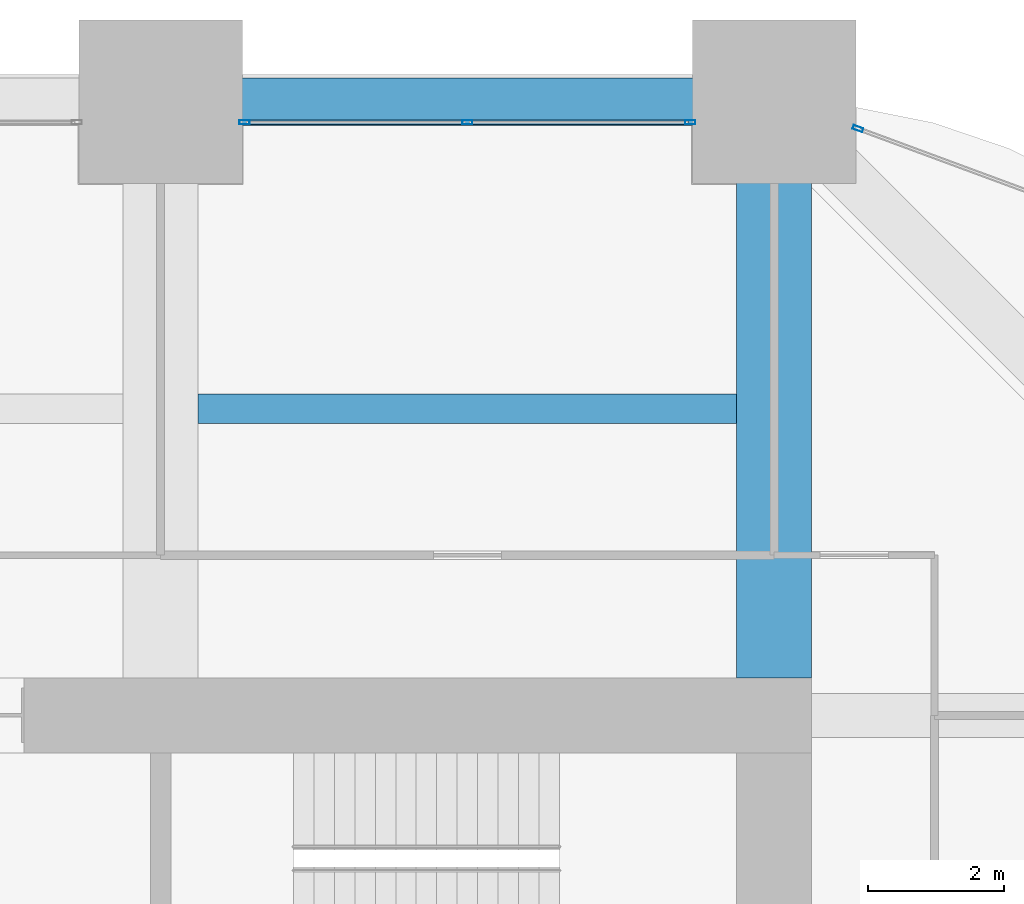
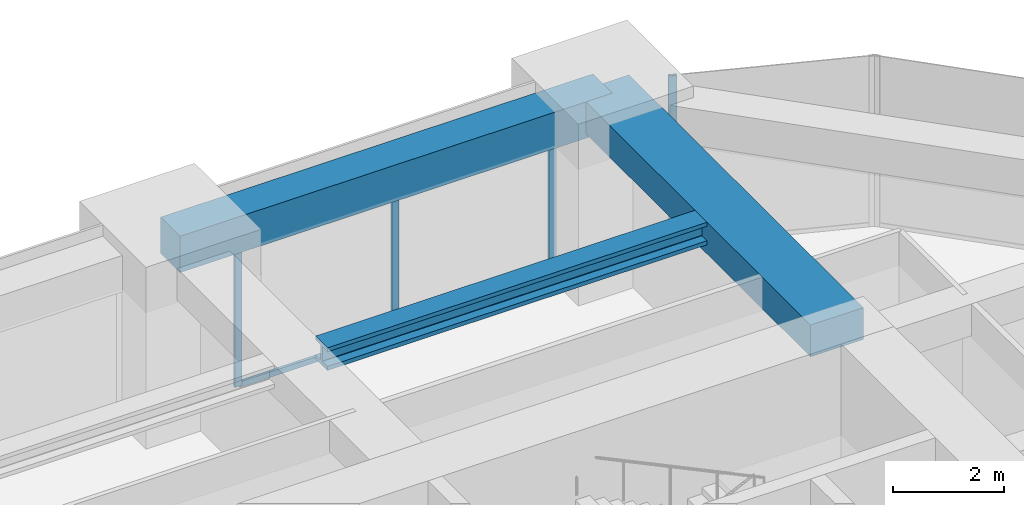
# One storey, part 26 of 32: 5 members, 3 beams, 2 elements without a shape of their own.
"""IFC4 building model written with IfcOpenShell, lengths in metres."""

import ifcopenshell
import ifcopenshell.guid

model = None  # the IFC model being written
_history = None  # IfcOwnerHistory: only IFC2X3 demands one
_inside = {}  # id of a spatial element -> (the spatial element, [elements in it])
_under = {}  # id of a project, library or spatial element -> (it, [spatial elements below it])
_declared = {}  # id of a project -> (the project, [libraries it declares])
_typed = {}  # id of a type object -> (the type object, [elements of that type])
_made_of = {}  # id of a material, layer set ... -> (it, [elements and type objects made of it])


def new_model(schema):
    """Start an empty IFC model of exactly this schema.

    Asked for "IFC4X3", IfcOpenShell would pick the latest addendum, in which some entities
    have other attributes; the version numbers below select the first issue.
    IFC2X3 requires an IfcOwnerHistory on every rooted entity: one is made here for all.
    """
    global model, _history
    if schema == "IFC4X3":
        model = ifcopenshell.file(schema_version=(4, 3, 0, 0))
    else:
        model = ifcopenshell.file(schema=schema)
    _inside.clear()
    _under.clear()
    _declared.clear()
    _typed.clear()
    _made_of.clear()
    _history = None
    if model.schema == "IFC2X3":
        org = make("IfcOrganization", Name="unknown")
        user = make(
            "IfcPersonAndOrganization",
            ThePerson=make("IfcPerson", FamilyName="unknown"),
            TheOrganization=org,
        )
        app = make(
            "IfcApplication",
            ApplicationDeveloper=org,
            Version="unknown",
            ApplicationFullName="unknown",
            ApplicationIdentifier="unknown",
        )
        _history = make(
            "IfcOwnerHistory",
            OwningUser=user,
            OwningApplication=app,
            ChangeAction="ADDED",
            CreationDate=0,
        )
    return model


def make(cls, **values):
    """One entity of the class cls with the attributes given. An attribute that is None is left unset."""
    return model.create_entity(
        cls, **{name: value for name, value in values.items() if value is not None}
    )


def rooted(cls, **values):
    """An entity with a GlobalId (a new one), such as an element, a storey or a relation."""
    return make(cls, GlobalId=ifcopenshell.guid.new(), OwnerHistory=_history, **values)


def si_unit(unit_type, name, prefix=None):
    """IfcSIUnit, for example si_unit("LENGTHUNIT", "METRE", prefix="MILLI")."""
    return make("IfcSIUnit", UnitType=unit_type, Prefix=prefix, Name=name)


def assignment(units):
    """IfcUnitAssignment: the units of a project."""
    return None if units is None else make("IfcUnitAssignment", Units=units)


def point(xyz):
    """IfcCartesianPoint."""
    return None if xyz is None else make("IfcCartesianPoint", Coordinates=xyz)


def direction(xyz):
    """IfcDirection."""
    return None if xyz is None else make("IfcDirection", DirectionRatios=xyz)


def frame(location, z_axis=None, x_axis=None):
    """IfcAxis2Placement3D, a coordinate frame: its origin and axes. An axis left out is left unset."""
    return make(
        "IfcAxis2Placement3D",
        Location=point(location),
        Axis=direction(z_axis),
        RefDirection=direction(x_axis),
    )


def frame_2d(location, x_axis=None):
    """IfcAxis2Placement2D, a coordinate frame in the plane: its origin and x axis."""
    return make(
        "IfcAxis2Placement2D", Location=point(location), RefDirection=direction(x_axis)
    )


def origin():
    """The frame at (0, 0, 0) with its axes left unset."""
    return frame((0.0, 0.0, 0.0))


def origin_2d():
    """The frame at (0, 0) in the plane with its x axis left unset."""
    return frame_2d((0.0, 0.0))


def place(relative_to, where):
    """IfcLocalPlacement: puts the frame where relative to a parent placement (None: the world)."""
    return make(
        "IfcLocalPlacement", PlacementRelTo=relative_to, RelativePlacement=where
    )


def context(
    kind, dimensions, precision=None, world=None, true_north=None, identifier=None
):
    """IfcGeometricRepresentationContext, for example the 3D "Model" context."""
    return make(
        "IfcGeometricRepresentationContext",
        ContextIdentifier=identifier,
        ContextType=kind,
        CoordinateSpaceDimension=dimensions,
        Precision=precision,
        WorldCoordinateSystem=world,
        TrueNorth=true_north,
    )


def subcontext(parent, identifier, kind, view, scale=None):
    """IfcGeometricRepresentationSubContext, for example "Body" below "Model"."""
    return make(
        "IfcGeometricRepresentationSubContext",
        ContextIdentifier=identifier,
        ContextType=kind,
        ParentContext=parent,
        TargetScale=scale,
        TargetView=view,
    )


def project(units=None, contexts=None):
    """IfcProject with its units and contexts."""
    return rooted(
        "IfcProject",
        Name="project",
        RepresentationContexts=contexts,
        UnitsInContext=assignment(units),
    )


def spatial(cls, under=None, at=None, **own):
    """A site, building, storey or space (cls), placed at a placement, below another one or the project."""
    s = rooted(cls, ObjectPlacement=at, **own)
    if under is not None:
        _under.setdefault(under.id(), (under, []))[1].append(s)
    return s


def profile(cls, at=None, kind="AREA", **sizes):
    """A parametric profile (cls). Its sizes go by their IFC names, for example OverallWidth=200.0."""
    return make(cls, ProfileType=kind, Position=at, **sizes)


def rectangle(**sizes):
    """IfcRectangleProfileDef."""
    return profile("IfcRectangleProfileDef", **sizes)


def hollow_rectangle(**sizes):
    """IfcRectangleHollowProfileDef."""
    return profile("IfcRectangleHollowProfileDef", **sizes)


def i_section(**sizes):
    """IfcIShapeProfileDef."""
    return profile("IfcIShapeProfileDef", **sizes)


def extrude(swept, where, along, depth):
    """IfcExtrudedAreaSolid: the profile swept, set in the frame where, extruded along a direction by depth."""
    return make(
        "IfcExtrudedAreaSolid",
        SweptArea=swept,
        Position=where,
        ExtrudedDirection=direction(along),
        Depth=depth,
    )


def shape(context_of_items, identifier, shape_type, items):
    """IfcShapeRepresentation: the items that make up one representation, for example the "Body"."""
    return make(
        "IfcShapeRepresentation",
        ContextOfItems=context_of_items,
        RepresentationIdentifier=identifier,
        RepresentationType=shape_type,
        Items=items,
    )


def material(Name=None, Category=None):
    """IfcMaterial."""
    return make("IfcMaterial", Name=Name, Category=Category)


def material_profile(
    of_material, cross_section, Name=None, Category=None, Priority=None
):
    """IfcMaterialProfile: a cross section and its material."""
    return make(
        "IfcMaterialProfile",
        Name=Name,
        Material=of_material,
        Profile=cross_section,
        Priority=Priority,
        Category=Category,
    )


def profile_set(profiles, Name=None, composite=None):
    """IfcMaterialProfileSet."""
    return make(
        "IfcMaterialProfileSet",
        Name=Name,
        MaterialProfiles=profiles,
        CompositeProfile=composite,
    )


def made_of(thing, what):
    """Note that an element or type object is made of a material, layer set ...; save() writes the relation."""
    if what is not None:
        _made_of.setdefault(what.id(), (what, []))[1].append(thing)
    return thing


def type_object(cls, material=None, **own):
    """A type object (cls), such as IfcWallType, which elements share."""
    return made_of(rooted(cls, **own), material)


def element(
    cls,
    number,
    at=None,
    inside=None,
    cuts=None,
    type_object=None,
    material=None,
    context=None,
    identifier="Body",
    shape_type=None,
    held_by="IfcProductDefinitionShape",
    body=None,
    shapes=None,
    **own,
):
    """One element of the class cls, such as IfcWall. Its Tag is "e" and its number.

    at: its placement. inside: the storey or other place that contains it. cuts: it is an
    opening in that element (IfcRelVoidsElement). A single representation is given by context,
    identifier, shape_type and body (its items); several are given by shapes. held_by: the class
    of the entity that holds the representations. save() writes the other relations.
    """
    e = rooted(cls, Tag="e%d" % number, ObjectPlacement=at, **own)
    if body is not None:
        shapes = [shape(context, identifier, shape_type, body)]
    if shapes is not None:
        e.Representation = make(held_by, Representations=shapes)
    if inside is not None:
        _inside.setdefault(inside.id(), (inside, []))[1].append(e)
    if cuts is not None:
        rooted(
            "IfcRelVoidsElement", RelatingBuildingElement=cuts, RelatedOpeningElement=e
        )
    if type_object is not None:
        _typed.setdefault(type_object.id(), (type_object, []))[1].append(e)
    return made_of(e, material)


def aggregate(whole, parts):
    """IfcRelAggregates: a whole, such as a stair, and the parts it consists of."""
    return rooted("IfcRelAggregates", RelatingObject=whole, RelatedObjects=parts)


def save(model, path):
    """Write the relations noted so far, then the file.

    IfcRelAggregates (storeys below a building ...), IfcRelContainedInSpatialStructure (elements
    in a storey), IfcRelDefinesByType, IfcRelAssociatesMaterial and IfcRelDeclares: one each for
    every whole, place, type object, material and project.
    """
    for whole, parts in _under.values():
        aggregate(whole, parts)
    for where, things in _inside.values():
        rooted(
            "IfcRelContainedInSpatialStructure",
            RelatedElements=things,
            RelatingStructure=where,
        )
    for kind, things in _typed.values():
        rooted("IfcRelDefinesByType", RelatedObjects=things, RelatingType=kind)
    for what, things in _made_of.values():
        rooted("IfcRelAssociatesMaterial", RelatedObjects=things, RelatingMaterial=what)
    for by, libraries in _declared.values():
        rooted("IfcRelDeclares", RelatingContext=by, RelatedDefinitions=libraries)
    model.write(path)


model = new_model("IFC4")

# Units and contexts
model_context = context("Model", 3, precision=1e-05, world=origin(), true_north=direction((0.0, 1.0)))
body_context = subcontext(model_context, "Body", "Model", "MODEL_VIEW")
ifc_project = project(units=[si_unit("LENGTHUNIT", "METRE"), si_unit("AREAUNIT", "SQUARE_METRE"), si_unit("VOLUMEUNIT", "CUBIC_METRE"), si_unit("PLANEANGLEUNIT", "RADIAN"), si_unit("MASSUNIT", "GRAM", prefix="KILO")], contexts=[model_context])

# Site, building, storey
site_placement = place(None, origin())
site = spatial("IfcSite", under=ifc_project, at=site_placement, CompositionType="ELEMENT")
building_placement = place(site_placement, origin())
building = spatial("IfcBuilding", under=site, at=building_placement, Name="Zorevar Civic Tower", CompositionType="ELEMENT")
storey_placement = place(building_placement, frame((0.0, 0.0, 190.199951171875)))
storey = spatial("IfcBuildingStorey", under=building, at=storey_placement, Name="L46", CompositionType="ELEMENT", Elevation=190.199951171875)

# Beam
ifc_material_1 = material(Name="Concrete C50/60", Category="concrete")
ifc_material_profile_1 = material_profile(ifc_material_1, rectangle(XDim=1.10009765625, YDim=0.699951171875, at=origin_2d()), Name="RC 1100x700")
ifc_profile_set_1 = profile_set([ifc_material_profile_1], Name="Concrete C50/60")
beam_type_1 = type_object("IfcBeamType", Name="Beam RC 1100x700", PredefinedType="BEAM", material=ifc_profile_set_1)
beam_1_placement = place(storey_placement, frame((45.0, 36.550048828125, 3.400146484375), z_axis=(0.0, 1.0, 0.0), x_axis=(-1.0, 0.0, 0.0)))
element("IfcBeam", 1, at=beam_1_placement, inside=storey, type_object=beam_type_1, Name="Girder L47", PredefinedType="BEAM", context=body_context, shape_type="SweptSolid", body=[
    extrude(rectangle(XDim=1.10009765625, YDim=0.699951171875, at=origin_2d()), origin(), (0.0, 0.0, 1.0), 8.449951171875),
])

# Curtain wall, members
ifc_material_2 = material(Name="Dark grey solar-control glass in black aluminium frame", Category="aluminium")
curtain_wall_type = type_object("IfcCurtainWallType", Name="Curtain wall CW4 high zone", PredefinedType="NOTDEFINED", material=ifc_material_2)
curtain_wall_1_placement = place(storey_placement, origin())
curtain_wall_1 = element("IfcCurtainWall", 2, at=curtain_wall_1_placement, inside=storey, type_object=curtain_wall_type, Name="CW4 L46", PredefinedType="NOTDEFINED")
ifc_material_3 = material(Name="Aluminium, black anodised", Category="aluminium")
ifc_material_profile_2 = material_profile(ifc_material_3, hollow_rectangle(XDim=0.06005859375, YDim=0.14990234375, WallThickness=0.00390625, at=origin_2d()), Name="AL 150x60x4")
ifc_profile_set_2 = profile_set([ifc_material_profile_2], Name="Aluminium, black anodised")
member_type_1 = type_object("IfcMemberType", Name="CW4 mullion AL 150x60x4", PredefinedType="MULLION", material=ifc_profile_set_2)
member_1_placement = place(storey_placement, frame((37.22998046875, 44.699951171875, 0.0), z_axis=(0.0, 0.0, 1.0), x_axis=(0.0, 1.0, 0.0)))
member_1 = element("IfcMember", 3, at=member_1_placement, type_object=member_type_1, Name="CW4 mullion 1", PredefinedType="MULLION", context=body_context, shape_type="SweptSolid", body=[
    extrude(hollow_rectangle(XDim=0.06005859375, YDim=0.14990234375, WallThickness=0.00390625, at=origin_2d()), origin(), (0.0, 0.0, 1.0), 2.949951171875),
])
member_2_placement = place(storey_placement, frame((40.5, 44.699951171875, 0.06005859375), z_axis=(0.0, 0.0, 1.0), x_axis=(0.0, 1.0, 0.0)))
member_2 = element("IfcMember", 4, at=member_2_placement, type_object=member_type_1, Name="CW4 mullion 2", PredefinedType="MULLION", context=body_context, shape_type="SweptSolid", body=[
    extrude(hollow_rectangle(XDim=0.06005859375, YDim=0.14990234375, WallThickness=0.00390625, at=origin_2d()), origin(), (0.0, 0.0, 1.0), 2.889892578125),
])
member_3_placement = place(storey_placement, frame((43.77001953125, 44.699951171875, 0.0), z_axis=(0.0, 0.0, 1.0), x_axis=(0.0, 1.0, 0.0)))
member_3 = element("IfcMember", 5, at=member_3_placement, type_object=member_type_1, Name="CW4 mullion 3", PredefinedType="MULLION", context=body_context, shape_type="SweptSolid", body=[
    extrude(hollow_rectangle(XDim=0.06005859375, YDim=0.14990234375, WallThickness=0.00390625, at=origin_2d()), origin(), (0.0, 0.0, 1.0), 2.949951171875),
])

# Curtain wall, member
curtain_wall_2_placement = place(storey_placement, origin())
curtain_wall_2 = element("IfcCurtainWall", 6, at=curtain_wall_2_placement, inside=storey, type_object=curtain_wall_type, Name="CW4 L46", PredefinedType="NOTDEFINED")
member_4_placement = place(storey_placement, frame((46.22802734375, 44.6064453125, 0.0), z_axis=(0.0, 0.0, 1.0), x_axis=(-0.346704012033, -0.937974588163, 0.0)))
member_4 = element("IfcMember", 7, at=member_4_placement, type_object=member_type_1, Name="CW4 mullion 2", PredefinedType="MULLION", context=body_context, shape_type="SweptSolid", body=[
    extrude(hollow_rectangle(XDim=0.06005859375, YDim=0.14990234375, WallThickness=0.00390625, at=origin_2d()), origin(), (0.0, 0.0, 1.0), 3.75),
])
aggregate(curtain_wall_2, [member_4])

# Member
ifc_material_4 = material(Name="Aluminium, black anodised", Category="aluminium")
ifc_material_profile_3 = material_profile(ifc_material_4, hollow_rectangle(XDim=0.06005859375, YDim=0.1201171875, WallThickness=0.0029296875, at=origin_2d()), Name="AL 120x60x3")
ifc_profile_set_3 = profile_set([ifc_material_profile_3], Name="Aluminium, black anodised")
member_type_2 = type_object("IfcMemberType", Name="CW4 transom AL 120x60x3", PredefinedType="USERDEFINED", material=ifc_profile_set_3)
member_5_placement = place(storey_placement, frame((37.260009765625, 44.699951171875, 0.030029296875), z_axis=(1.0, 0.0, 0.0), x_axis=(0.0, 1.0, 0.0)))
member_5 = element("IfcMember", 8, at=member_5_placement, type_object=member_type_2, Name="CW4 sill transom", ObjectType="TRANSOM", PredefinedType="USERDEFINED", context=body_context, shape_type="SweptSolid", body=[
    extrude(hollow_rectangle(XDim=0.06005859375, YDim=0.1201171875, WallThickness=0.0029296875, at=origin_2d()), origin(), (0.0, 0.0, 1.0), 6.47998046875),
])

aggregate(curtain_wall_1, [member_1, member_2, member_3, member_5])

# Beams
ifc_material_5 = material(Name="Steel S460M (HISTAR 460)", Category="steel")
ifc_material_profile_4 = material_profile(ifc_material_5, i_section(OverallWidth=0.431884765625, OverallDepth=0.498046875, WebThickness=0.0556640625, FlangeThickness=0.0888671875, FilletRadius=0.014892578125, at=origin_2d()), Name="HD 400x744")
ifc_profile_set_4 = profile_set([ifc_material_profile_4], Name="Steel S460M (HISTAR 460)")
beam_type_2 = type_object("IfcBeamType", Name="Core bay beam HD 400x744", PredefinedType="BEAM", material=ifc_profile_set_4)
beam_2_placement = place(storey_placement, frame((36.550048828125, 40.5, 3.5009765625), z_axis=(1.0, 0.0, 0.0), x_axis=(0.0, 1.0, 0.0)))
element("IfcBeam", 9, at=beam_2_placement, inside=storey, type_object=beam_type_2, Name="Secondary beam L47", PredefinedType="BEAM", context=body_context, shape_type="SweptSolid", body=[
    extrude(i_section(OverallWidth=0.431884765625, OverallDepth=0.498046875, WebThickness=0.0556640625, FlangeThickness=0.0888671875, FilletRadius=0.014892578125, at=origin_2d()), origin(), (0.0, 0.0, 1.0), 7.89990234375),
])
ifc_material_6 = material(Name="Concrete C50/60", Category="concrete")
ifc_material_profile_5 = material_profile(ifc_material_6, rectangle(XDim=0.699951171875, YDim=0.800048828125, at=origin_2d()), Name="RC 700x800")
ifc_profile_set_5 = profile_set([ifc_material_profile_5], Name="Concrete C50/60")
beam_type_3 = type_object("IfcBeamType", Name="Edge beam RC 700x800", PredefinedType="SPANDREL", material=ifc_profile_set_5)
beam_3_placement = place(storey_placement, frame((36.0, 45.0, 3.35009765625), z_axis=(1.0, 0.0, 0.0), x_axis=(0.0, 1.0, 0.0)))
element("IfcBeam", 10, at=beam_3_placement, inside=storey, type_object=beam_type_3, Name="Edge beam L47", PredefinedType="SPANDREL", context=body_context, shape_type="SweptSolid", body=[
    extrude(rectangle(XDim=0.699951171875, YDim=0.800048828125, at=origin_2d()), origin(), (0.0, 0.0, 1.0), 9.0),
])

save(model, "model.ifc")
